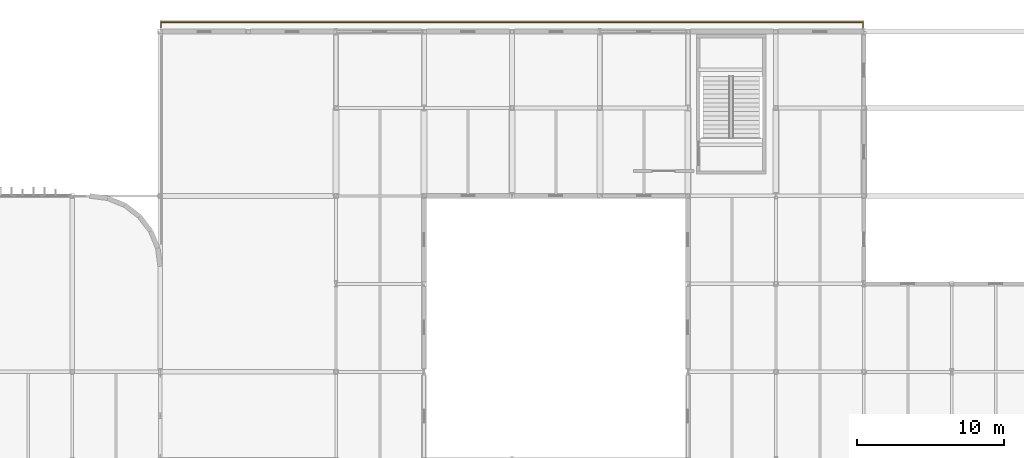
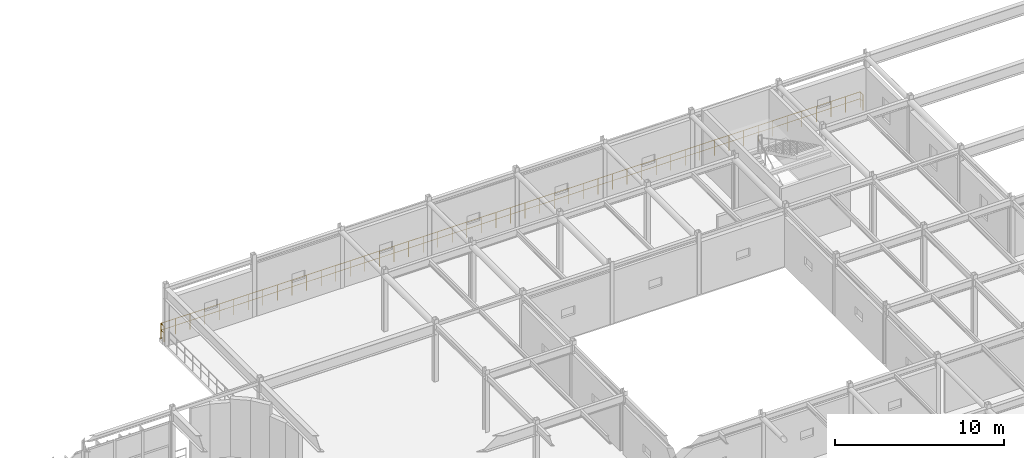
# One storey, part 92 of 96: 1 railing.
"""IFC4 building model written with IfcOpenShell, lengths in metres."""

from ifc_helpers import new_model, si_unit, direction, frame, origin, origin_2d, place, context, subcontext, project, spatial, circle, extrude, material, type_object, element, save


model = new_model("IFC4")

# Units and contexts
model_context = context("Model", 3, precision=1e-05, world=origin(), true_north=direction((0.0, 1.0)))
body_context = subcontext(model_context, "Body", "Model", "MODEL_VIEW")
ifc_project = project(units=[si_unit("LENGTHUNIT", "METRE"), si_unit("AREAUNIT", "SQUARE_METRE"), si_unit("VOLUMEUNIT", "CUBIC_METRE"), si_unit("PLANEANGLEUNIT", "RADIAN"), si_unit("MASSUNIT", "GRAM", prefix="KILO")], contexts=[model_context])

# Site, building, storey
site_placement = place(None, origin())
site = spatial("IfcSite", under=ifc_project, at=site_placement, CompositionType="ELEMENT")
building_placement = place(site_placement, origin())
building = spatial("IfcBuilding", under=site, at=building_placement, Name="Varnakota Square Police Headquarters", CompositionType="ELEMENT")
storey_placement = place(building_placement, frame((0.0, 0.0, 4.800048828125)))
storey = spatial("IfcBuildingStorey", under=building, at=storey_placement, Name="L01", CompositionType="ELEMENT", Elevation=4.800048828125)

# Railing
ifc_material = material(Name="Galvanised Powder-Coated Steel Guardrail", Category="steel")
railing_type = type_object("IfcRailingType", Name="RL-BAL-1150", PredefinedType="BALUSTRADE", material=ifc_material)
railing_placement = place(storey_placement, frame((96.050048828125, 110.49169921875, 0.0)))
element("IfcRailing", 1, at=railing_placement, inside=storey, type_object=railing_type, Name="Perimeter edge safety guard GD-AUTO-L01-028", PredefinedType="BALUSTRADE", context=body_context, shape_type="SweptSolid", body=[
    extrude(circle(Radius=0.02392578125, at=origin_2d()), frame((0.0, 0.0, 1.1259765625), z_axis=(0.0, 1.0, 0.0), x_axis=(-1.0, 0.0, 0.0)), (0.0, 0.0, 1.0), 0.3583984375),
    extrude(circle(Radius=0.01806640625, at=origin_2d()), frame((0.0, 0.0, 0.63232421875), z_axis=(0.0, 1.0, 0.0), x_axis=(-1.0, 0.0, 0.0)), (0.0, 0.0, 1.0), 0.3583984375),
    extrude(circle(Radius=0.02392578125, at=origin_2d()), frame((0.0, 0.3583984375, 1.1259765625), z_axis=(1.0, 0.0, 0.0), x_axis=(0.0, 1.0, 0.0)), (0.0, 0.0, 1.0), 47.89990234375),
    extrude(circle(Radius=0.01806640625, at=origin_2d()), frame((0.0, 0.3583984375, 0.63232421875), z_axis=(1.0, 0.0, 0.0), x_axis=(0.0, 1.0, 0.0)), (0.0, 0.0, 1.0), 47.89990234375),
    extrude(circle(Radius=0.02392578125, at=origin_2d()), frame((47.89990234375, 0.3583984375, 1.1259765625), z_axis=(0.0, -1.0, 0.0), x_axis=(1.0, 0.0, 0.0)), (0.0, 0.0, 1.0), 0.3505859375),
    extrude(circle(Radius=0.01806640625, at=origin_2d()), frame((47.89990234375, 0.3583984375, 0.63232421875), z_axis=(0.0, -1.0, 0.0), x_axis=(1.0, 0.0, 0.0)), (0.0, 0.0, 1.0), 0.3505859375),
    extrude(circle(Radius=0.02099609375, at=origin_2d()), origin(), (0.0, 0.0, 1.0), 1.101806640625),
    extrude(circle(Radius=0.02099609375, at=origin_2d()), frame((0.0, 0.3583984375, 0.0)), (0.0, 0.0, 1.0), 1.101806640625),
    extrude(circle(Radius=0.02099609375, at=origin_2d()), frame((0.997802734375, 0.3583984375, 0.0)), (0.0, 0.0, 1.0), 1.101806640625),
    extrude(circle(Radius=0.02099609375, at=origin_2d()), frame((1.995849609375, 0.3583984375, 0.0)), (0.0, 0.0, 1.0), 1.101806640625),
    extrude(circle(Radius=0.02099609375, at=origin_2d()), frame((2.99365234375, 0.3583984375, 0.0)), (0.0, 0.0, 1.0), 1.101806640625),
    extrude(circle(Radius=0.02099609375, at=origin_2d()), frame((3.99169921875, 0.3583984375, 0.0)), (0.0, 0.0, 1.0), 1.101806640625),
    extrude(circle(Radius=0.02099609375, at=origin_2d()), frame((4.989501953125, 0.3583984375, 0.0)), (0.0, 0.0, 1.0), 1.101806640625),
    extrude(circle(Radius=0.02099609375, at=origin_2d()), frame((5.987548828125, 0.3583984375, 0.0)), (0.0, 0.0, 1.0), 1.101806640625),
    extrude(circle(Radius=0.02099609375, at=origin_2d()), frame((6.9853515625, 0.3583984375, 0.0)), (0.0, 0.0, 1.0), 1.101806640625),
    extrude(circle(Radius=0.02099609375, at=origin_2d()), frame((7.9833984375, 0.3583984375, 0.0)), (0.0, 0.0, 1.0), 1.101806640625),
    extrude(circle(Radius=0.02099609375, at=origin_2d()), frame((8.981201171875, 0.3583984375, 0.0)), (0.0, 0.0, 1.0), 1.101806640625),
    extrude(circle(Radius=0.02099609375, at=origin_2d()), frame((9.979248046875, 0.3583984375, 0.0)), (0.0, 0.0, 1.0), 1.101806640625),
    extrude(circle(Radius=0.02099609375, at=origin_2d()), frame((10.97705078125, 0.3583984375, 0.0)), (0.0, 0.0, 1.0), 1.101806640625),
    extrude(circle(Radius=0.02099609375, at=origin_2d()), frame((11.97509765625, 0.3583984375, 0.0)), (0.0, 0.0, 1.0), 1.101806640625),
    extrude(circle(Radius=0.02099609375, at=origin_2d()), frame((12.972900390625, 0.3583984375, 0.0)), (0.0, 0.0, 1.0), 1.101806640625),
    extrude(circle(Radius=0.02099609375, at=origin_2d()), frame((13.970703125, 0.3583984375, 0.0)), (0.0, 0.0, 1.0), 1.101806640625),
    extrude(circle(Radius=0.02099609375, at=origin_2d()), frame((14.96875, 0.3583984375, 0.0)), (0.0, 0.0, 1.0), 1.101806640625),
    extrude(circle(Radius=0.02099609375, at=origin_2d()), frame((15.966552734375, 0.3583984375, 0.0)), (0.0, 0.0, 1.0), 1.101806640625),
    extrude(circle(Radius=0.02099609375, at=origin_2d()), frame((16.964599609375, 0.3583984375, 0.0)), (0.0, 0.0, 1.0), 1.101806640625),
    extrude(circle(Radius=0.02099609375, at=origin_2d()), frame((17.96240234375, 0.3583984375, 0.0)), (0.0, 0.0, 1.0), 1.101806640625),
    extrude(circle(Radius=0.02099609375, at=origin_2d()), frame((18.96044921875, 0.3583984375, 0.0)), (0.0, 0.0, 1.0), 1.101806640625),
    extrude(circle(Radius=0.02099609375, at=origin_2d()), frame((19.958251953125, 0.3583984375, 0.0)), (0.0, 0.0, 1.0), 1.101806640625),
    extrude(circle(Radius=0.02099609375, at=origin_2d()), frame((20.956298828125, 0.3583984375, 0.0)), (0.0, 0.0, 1.0), 1.101806640625),
    extrude(circle(Radius=0.02099609375, at=origin_2d()), frame((21.9541015625, 0.3583984375, 0.0)), (0.0, 0.0, 1.0), 1.101806640625),
    extrude(circle(Radius=0.02099609375, at=origin_2d()), frame((22.9521484375, 0.3583984375, 0.0)), (0.0, 0.0, 1.0), 1.101806640625),
    extrude(circle(Radius=0.02099609375, at=origin_2d()), frame((23.949951171875, 0.3583984375, 0.0)), (0.0, 0.0, 1.0), 1.101806640625),
    extrude(circle(Radius=0.02099609375, at=origin_2d()), frame((24.94775390625, 0.3583984375, 0.0)), (0.0, 0.0, 1.0), 1.101806640625),
    extrude(circle(Radius=0.02099609375, at=origin_2d()), frame((25.94580078125, 0.3583984375, 0.0)), (0.0, 0.0, 1.0), 1.101806640625),
    extrude(circle(Radius=0.02099609375, at=origin_2d()), frame((26.943603515625, 0.3583984375, 0.0)), (0.0, 0.0, 1.0), 1.101806640625),
    extrude(circle(Radius=0.02099609375, at=origin_2d()), frame((27.941650390625, 0.3583984375, 0.0)), (0.0, 0.0, 1.0), 1.101806640625),
    extrude(circle(Radius=0.02099609375, at=origin_2d()), frame((28.939453125, 0.3583984375, 0.0)), (0.0, 0.0, 1.0), 1.101806640625),
    extrude(circle(Radius=0.02099609375, at=origin_2d()), frame((29.9375, 0.3583984375, 0.0)), (0.0, 0.0, 1.0), 1.101806640625),
    extrude(circle(Radius=0.02099609375, at=origin_2d()), frame((30.935302734375, 0.3583984375, 0.0)), (0.0, 0.0, 1.0), 1.101806640625),
    extrude(circle(Radius=0.02099609375, at=origin_2d()), frame((31.933349609375, 0.3583984375, 0.0)), (0.0, 0.0, 1.0), 1.101806640625),
    extrude(circle(Radius=0.02099609375, at=origin_2d()), frame((32.93115234375, 0.3583984375, 0.0)), (0.0, 0.0, 1.0), 1.101806640625),
    extrude(circle(Radius=0.02099609375, at=origin_2d()), frame((33.92919921875, 0.3583984375, 0.0)), (0.0, 0.0, 1.0), 1.101806640625),
    extrude(circle(Radius=0.02099609375, at=origin_2d()), frame((34.927001953125, 0.3583984375, 0.0)), (0.0, 0.0, 1.0), 1.101806640625),
    extrude(circle(Radius=0.02099609375, at=origin_2d()), frame((35.9248046875, 0.3583984375, 0.0)), (0.0, 0.0, 1.0), 1.101806640625),
    extrude(circle(Radius=0.02099609375, at=origin_2d()), frame((36.9228515625, 0.3583984375, 0.0)), (0.0, 0.0, 1.0), 1.101806640625),
    extrude(circle(Radius=0.02099609375, at=origin_2d()), frame((37.920654296875, 0.3583984375, 0.0)), (0.0, 0.0, 1.0), 1.101806640625),
    extrude(circle(Radius=0.02099609375, at=origin_2d()), frame((38.918701171875, 0.3583984375, 0.0)), (0.0, 0.0, 1.0), 1.101806640625),
    extrude(circle(Radius=0.02099609375, at=origin_2d()), frame((39.91650390625, 0.3583984375, 0.0)), (0.0, 0.0, 1.0), 1.101806640625),
    extrude(circle(Radius=0.02099609375, at=origin_2d()), frame((40.91455078125, 0.3583984375, 0.0)), (0.0, 0.0, 1.0), 1.101806640625),
    extrude(circle(Radius=0.02099609375, at=origin_2d()), frame((41.912353515625, 0.3583984375, 0.0)), (0.0, 0.0, 1.0), 1.101806640625),
    extrude(circle(Radius=0.02099609375, at=origin_2d()), frame((42.910400390625, 0.3583984375, 0.0)), (0.0, 0.0, 1.0), 1.101806640625),
    extrude(circle(Radius=0.02099609375, at=origin_2d()), frame((43.908203125, 0.3583984375, 0.0)), (0.0, 0.0, 1.0), 1.101806640625),
    extrude(circle(Radius=0.02099609375, at=origin_2d()), frame((44.90625, 0.3583984375, 0.0)), (0.0, 0.0, 1.0), 1.101806640625),
    extrude(circle(Radius=0.02099609375, at=origin_2d()), frame((45.904052734375, 0.3583984375, 0.0)), (0.0, 0.0, 1.0), 1.101806640625),
    extrude(circle(Radius=0.02099609375, at=origin_2d()), frame((46.902099609375, 0.3583984375, 0.0)), (0.0, 0.0, 1.0), 1.101806640625),
    extrude(circle(Radius=0.02099609375, at=origin_2d()), frame((47.89990234375, 0.3583984375, 0.0)), (0.0, 0.0, 1.0), 1.101806640625),
    extrude(circle(Radius=0.02099609375, at=origin_2d()), frame((47.89990234375, 0.0078125, 0.0)), (0.0, 0.0, 1.0), 1.101806640625),
])

save(model, "model.ifc")
